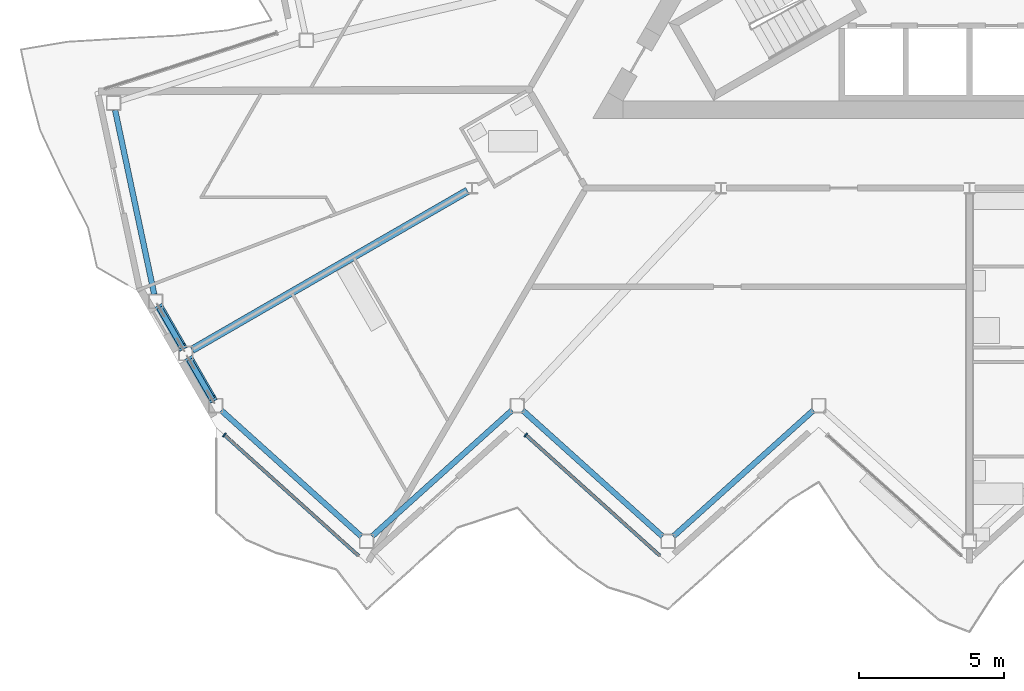
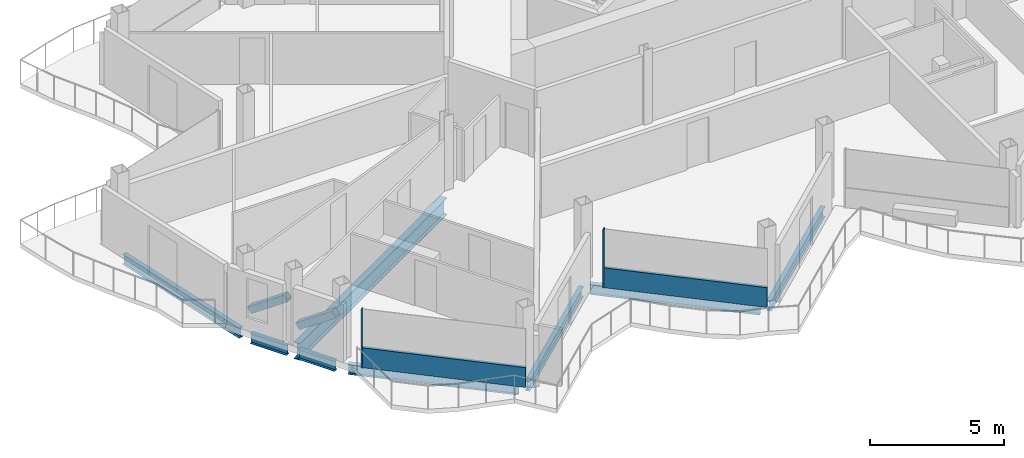
# One storey, part 4 of 26: 8 beams, 6 members, 2 elements without a shape of their own.
"""IFC4 building model written with IfcOpenShell, lengths in metres."""

from ifc_helpers import new_model, si_unit, direction, frame, origin, origin_2d, place, context, subcontext, project, spatial, rectangle, hollow_rectangle, i_section, extrude, material, layer, layer_set, material_profile, profile_set, type_object, element, aggregate, save


model = new_model("IFC4")

# Units and contexts
model_context = context("Model", 3, precision=1e-05, world=origin(), true_north=direction((0.0, 1.0)))
body_context = subcontext(model_context, "Body", "Model", "MODEL_VIEW")
ifc_project = project(units=[si_unit("LENGTHUNIT", "METRE"), si_unit("AREAUNIT", "SQUARE_METRE"), si_unit("VOLUMEUNIT", "CUBIC_METRE"), si_unit("PLANEANGLEUNIT", "RADIAN"), si_unit("MASSUNIT", "GRAM", prefix="KILO")], contexts=[model_context])

# Site, building, storey
site_placement = place(None, origin())
site = spatial("IfcSite", under=ifc_project, at=site_placement, CompositionType="ELEMENT")
building_placement = place(site_placement, origin())
building = spatial("IfcBuilding", under=site, at=building_placement, Name="Cormorant Prow Tower", CompositionType="ELEMENT")
storey_placement = place(building_placement, frame((0.0, 0.0, 367.800048828125)))
storey = spatial("IfcBuildingStorey", under=building, at=storey_placement, Name="L82", CompositionType="ELEMENT", Elevation=367.800048828125)

# Members
ifc_material_1 = material(Name="Structural steel ASTM A500 Gr C", Category="steel")
ifc_material_profile_1 = material_profile(ifc_material_1, hollow_rectangle(XDim=0.3046875, YDim=0.3046875, WallThickness=0.01171875, at=origin_2d()), Name="HSS12x12x1/2")
ifc_profile_set_1 = profile_set([ifc_material_profile_1], Name="Structural steel ASTM A500 Gr C")
member_type_1 = type_object("IfcMemberType", Name="Chamfer brace HSS12x12x1/2", PredefinedType="BRACE", material=ifc_profile_set_1)
member_1_placement = place(storey_placement, frame((-27.950439453125, -14.027587890625, 0.7705078125), z_axis=(0.411230183851, -0.712282194217, 0.568809117095), x_axis=(0.866028632512, 0.499994407638, 0.0)))
element("IfcMember", 1, at=member_1_placement, inside=storey, type_object=member_type_1, Name="Chamfer brace BR3 at WSW00 L82", PredefinedType="BRACE", context=body_context, shape_type="SweptSolid", body=[
    extrude(hollow_rectangle(XDim=0.3046875, YDim=0.3046875, WallThickness=0.01171875, at=origin_2d()), origin(), (0.0, 0.0, 1.0), 1.921142578125),
])
member_2_placement = place(storey_placement, frame((-26.91357421875, -15.823486328125, 0.7705078125), z_axis=(0.411298537745, -0.71230756954, 0.568727913175), x_axis=(0.866000359435, 0.500043375578, 0.0)))
element("IfcMember", 2, at=member_2_placement, inside=storey, type_object=member_type_1, Name="Chamfer brace BR3 at WSW01 L82", PredefinedType="BRACE", context=body_context, shape_type="SweptSolid", body=[
    extrude(hollow_rectangle(XDim=0.3046875, YDim=0.3046875, WallThickness=0.01171875, at=origin_2d()), origin(), (0.0, 0.0, 1.0), 1.92138671875),
])

# Beam
ifc_material_2 = material(Name="Structural steel ASTM A992 Gr 50", Category="steel")
ifc_material_profile_2 = material_profile(ifc_material_2, i_section(OverallWidth=0.267822265625, OverallDepth=0.77001953125, WebThickness=0.015625, FlangeThickness=0.025390625, at=origin_2d()), Name="W30x132")
ifc_profile_set_2 = profile_set([ifc_material_profile_2], Name="Structural steel ASTM A992 Gr 50")
beam_type_1 = type_object("IfcBeamType", Name="Radial floor beam W30x132", PredefinedType="BEAM", material=ifc_profile_set_2)
beam_1_placement = place(storey_placement, frame((-17.31884765625, -9.9990234375, -0.68505859375), z_axis=(-0.866018830095, -0.500011385791, 0.0), x_axis=(0.500011385791, -0.866018830095, 0.0)))
element("IfcBeam", 3, at=beam_1_placement, inside=storey, type_object=beam_type_1, Name="Radial floor beam FB3 5 L82", PredefinedType="BEAM", context=body_context, shape_type="SweptSolid", body=[
    extrude(i_section(OverallWidth=0.267822265625, OverallDepth=0.77001953125, WebThickness=0.015625, FlangeThickness=0.025390625, at=origin_2d()), origin(), (0.0, 0.0, 1.0), 10.971435546875),
])

# Curtain wall, member
ifc_material_3 = material(Name="Aluminium 6063-T6", Category="aluminium")
ifc_layer = layer(ifc_material_3, 0.159912109375)
ifc_layer_set = layer_set([ifc_layer], Name="Aluminium 6063-T6")
curtain_wall_type = type_object("IfcCurtainWallType", Name="Residential unitised curtain wall 160", PredefinedType="NOTDEFINED", material=ifc_layer_set)
curtain_wall_1_placement = place(storey_placement, origin())
curtain_wall_1 = element("IfcCurtainWall", 4, at=curtain_wall_1_placement, inside=storey, type_object=curtain_wall_type, Name="Residential curtain wall S00", PredefinedType="NOTDEFINED")
ifc_material_4 = material(Name="Aluminium 6063-T6", Category="aluminium")
ifc_material_profile_3 = material_profile(ifc_material_4, rectangle(XDim=0.159912109375, YDim=0.050048828125, at=origin_2d()), Name="Residential mullion 50x160")
ifc_profile_set_3 = profile_set([ifc_material_profile_3], Name="Aluminium 6063-T6")
member_type_2 = type_object("IfcMemberType", Name="Residential mullion 50x160", PredefinedType="MULLION", material=ifc_profile_set_3)
member_3_placement = place(storey_placement, frame((-25.70947265625, -18.4189453125, 0.0), z_axis=(0.0, 0.0, 1.0), x_axis=(0.669130682884, 0.743144756574, 0.0)))
member_3 = element("IfcMember", 5, at=member_3_placement, type_object=member_type_2, Name="Residential mullion S00", PredefinedType="MULLION", context=body_context, shape_type="SweptSolid", body=[
    extrude(rectangle(XDim=0.159912109375, YDim=0.050048828125, at=origin_2d()), origin(), (0.0, 0.0, 1.0), 2.6337890625),
])

curtain_wall_2_placement = place(storey_placement, origin())
curtain_wall_2 = element("IfcCurtainWall", 6, at=curtain_wall_2_placement, inside=storey, type_object=curtain_wall_type, Name="Residential curtain wall S02", PredefinedType="NOTDEFINED")
member_4_placement = place(storey_placement, frame((-15.309326171875, -18.4189453125, 0.0), z_axis=(0.0, 0.0, 1.0), x_axis=(0.669130682884, 0.743144756574, 0.0)))
member_4 = element("IfcMember", 7, at=member_4_placement, type_object=member_type_2, Name="Residential mullion S02", PredefinedType="MULLION", context=body_context, shape_type="SweptSolid", body=[
    extrude(rectangle(XDim=0.159912109375, YDim=0.050048828125, at=origin_2d()), origin(), (0.0, 0.0, 1.0), 2.6337890625),
])

# Member
ifc_material_5 = material(Name="Terracotta", Category="masonry")
ifc_material_profile_4 = material_profile(ifc_material_5, rectangle(XDim=0.1201171875, YDim=0.89990234375, at=origin_2d()), Name="Residential terracotta spandrel rail 120x900")
ifc_profile_set_4 = profile_set([ifc_material_profile_4], Name="Terracotta")
member_type_3 = type_object("IfcMemberType", Name="Residential terracotta spandrel rail 120x900", PredefinedType="USERDEFINED", material=ifc_profile_set_4)
member_5_placement = place(storey_placement, frame((-25.69091796875, -18.435791015625, 0.449951171875), z_axis=(0.743159360055, -0.669114463723, 0.0), x_axis=(0.669114463723, 0.743159360055, 0.0)))
member_5 = element("IfcMember", 8, at=member_5_placement, type_object=member_type_3, Name="Residential spandrel rail S00", ObjectType="TRANSOM", PredefinedType="USERDEFINED", context=body_context, shape_type="SweptSolid", body=[
    extrude(rectangle(XDim=0.1201171875, YDim=0.89990234375, at=origin_2d()), origin(), (0.0, 0.0, 1.0), 6.21533203125),
])

aggregate(curtain_wall_1, [member_3, member_5])

member_6_placement = place(storey_placement, frame((-15.290771484375, -18.435791015625, 0.449951171875), z_axis=(0.743159360055, -0.669114463723, 0.0), x_axis=(0.669114463723, 0.743159360055, 0.0)))
member_6 = element("IfcMember", 9, at=member_6_placement, type_object=member_type_3, Name="Residential spandrel rail S02", ObjectType="TRANSOM", PredefinedType="USERDEFINED", context=body_context, shape_type="SweptSolid", body=[
    extrude(rectangle(XDim=0.1201171875, YDim=0.89990234375, at=origin_2d()), origin(), (0.0, 0.0, 1.0), 6.21533203125),
])

aggregate(curtain_wall_2, [member_4, member_6])

# Beams
ifc_material_6 = material(Name="Structural steel ASTM A992 Gr 50", Category="steel")
ifc_material_profile_5 = material_profile(ifc_material_6, i_section(OverallWidth=0.19287109375, OverallDepth=0.466064453125, WebThickness=0.011474609375, FlangeThickness=0.01904296875, at=origin_2d()), Name="W18x65")
ifc_profile_set_5 = profile_set([ifc_material_profile_5], Name="Structural steel ASTM A992 Gr 50")
beam_type_2 = type_object("IfcBeamType", Name="Spandrel beam W18x65", PredefinedType="SPANDREL", material=ifc_profile_set_5)
for number, where, z_axis, x_axis, name in (
    (10, (-25.814208984375, -17.572998046875, -0.533203125), (0.743131573737, -0.669145323614, 0.0), (0.669145323614, 0.743131573737, 0.0), "Spandrel beam SB4 S00-S01 L82"),
    (11, (-20.6142578125, -21.920654296875, -0.533203125), (0.743131573737, 0.669145323614, 0.0), (-0.669145323614, 0.743131573737, 0.0), "Spandrel beam SB4 S01-S02 L82"),
):
    element("IfcBeam", number, at=place(storey_placement, frame(where, z_axis=z_axis, x_axis=x_axis)), inside=storey, type_object=beam_type_2, Name=name, PredefinedType="SPANDREL", context=body_context, shape_type="SweptSolid", body=[
        extrude(i_section(OverallWidth=0.19287109375, OverallDepth=0.466064453125, WebThickness=0.011474609375, FlangeThickness=0.01904296875, at=origin_2d()), origin(), (0.0, 0.0, 1.0), 6.497314453125),
    ])
beam_2_placement = place(storey_placement, frame((-15.414306640625, -17.572998046875, -0.533203125), z_axis=(0.743148397689, -0.669126638995, 0.0), x_axis=(0.669126638995, 0.743148397689, 0.0)))
element("IfcBeam", 12, at=beam_2_placement, inside=storey, type_object=beam_type_2, Name="Spandrel beam SB4 S02-S03 L82", PredefinedType="SPANDREL", context=body_context, shape_type="SweptSolid", body=[
    extrude(i_section(OverallWidth=0.19287109375, OverallDepth=0.466064453125, WebThickness=0.011474609375, FlangeThickness=0.01904296875, at=origin_2d()), origin(), (0.0, 0.0, 1.0), 6.49755859375),
])
beam_3_placement = place(storey_placement, frame((-10.214111328125, -21.920654296875, -0.533203125), z_axis=(0.743131573737, 0.669145323614, 0.0), x_axis=(-0.669145323614, 0.743131573737, 0.0)))
element("IfcBeam", 13, at=beam_3_placement, inside=storey, type_object=beam_type_2, Name="Spandrel beam SB4 S03-S04 L82", PredefinedType="SPANDREL", context=body_context, shape_type="SweptSolid", body=[
    extrude(i_section(OverallWidth=0.19287109375, OverallDepth=0.466064453125, WebThickness=0.011474609375, FlangeThickness=0.01904296875, at=origin_2d()), origin(), (0.0, 0.0, 1.0), 6.497314453125),
])
beam_4_placement = place(storey_placement, frame((-29.4765625, -7.2138671875, -0.533203125), z_axis=(0.207901897373, -0.978149682344, 0.0), x_axis=(0.978149682344, 0.207901897373, 0.0)))
element("IfcBeam", 14, at=beam_4_placement, inside=storey, type_object=beam_type_2, Name="Spandrel beam SB4 WNW09-WSW00 L82", PredefinedType="SPANDREL", context=body_context, shape_type="SweptSolid", body=[
    extrude(i_section(OverallWidth=0.19287109375, OverallDepth=0.466064453125, WebThickness=0.011474609375, FlangeThickness=0.01904296875, at=origin_2d()), origin(), (0.0, 0.0, 1.0), 6.49755859375),
])
for number, where, z_axis, x_axis, name in (
    (15, (-27.94873046875, -14.0302734375, -0.533203125), (0.499959680857, -0.866048680801, 0.0), (0.866048680801, 0.499959680857, 0.0), "Spandrel beam SB4 WSW00-WSW01 L82"),
    (16, (-26.911865234375, -15.826171875, -0.533203125), (0.499959680857, -0.866048680801, 0.0), (0.866048680801, 0.499959680857, 0.0), "Spandrel beam SB4 WSW01-S00 L82"),
):
    element("IfcBeam", number, at=place(storey_placement, frame(where, z_axis=z_axis, x_axis=x_axis)), inside=storey, type_object=beam_type_2, Name=name, PredefinedType="SPANDREL", context=body_context, shape_type="SweptSolid", body=[
        extrude(i_section(OverallWidth=0.19287109375, OverallDepth=0.466064453125, WebThickness=0.011474609375, FlangeThickness=0.01904296875, at=origin_2d()), origin(), (0.0, 0.0, 1.0), 1.573974609375),
    ])

save(model, "model.ifc")
